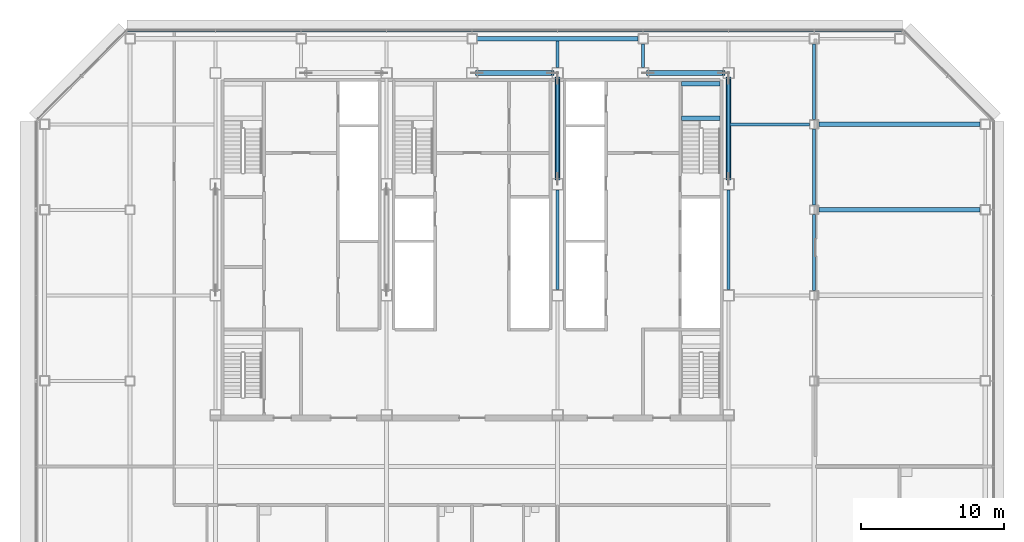
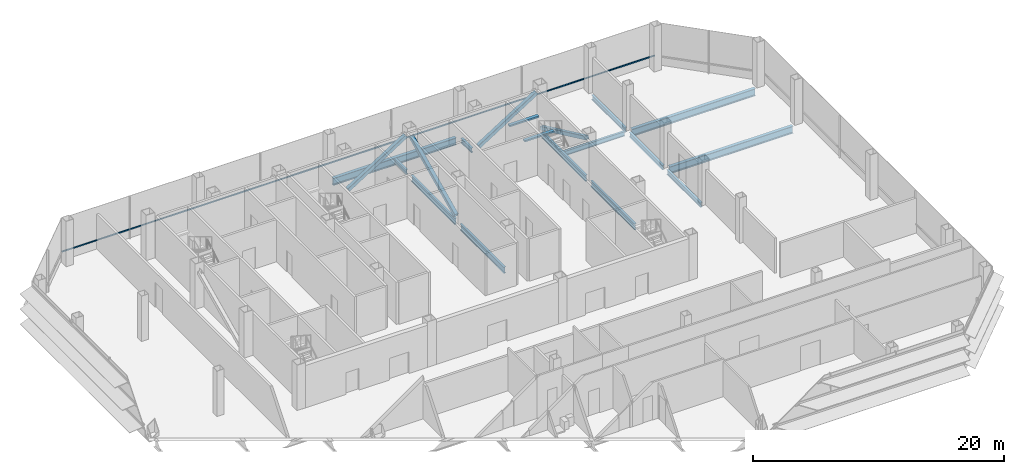
# One storey, part 13 of 26: 15 beams, 5 members, 1 element without a shape of its own.
"""IFC4 building model written with IfcOpenShell, lengths in metres."""

from ifc_helpers import new_model, si_unit, direction, frame, origin, origin_2d, place, context, subcontext, project, spatial, rectangle, hollow_rectangle, i_section, extrude, material, material_profile, profile_set, type_object, element, aggregate, save


model = new_model("IFC4")

# Units and contexts
model_context = context("Model", 3, precision=1e-05, world=origin(), true_north=direction((0.0, 1.0)))
body_context = subcontext(model_context, "Body", "Model", "MODEL_VIEW")
ifc_project = project(units=[si_unit("LENGTHUNIT", "METRE"), si_unit("AREAUNIT", "SQUARE_METRE"), si_unit("VOLUMEUNIT", "CUBIC_METRE"), si_unit("PLANEANGLEUNIT", "RADIAN"), si_unit("MASSUNIT", "GRAM", prefix="KILO")], contexts=[model_context])

# Site, building, storey
site_placement = place(None, origin())
site = spatial("IfcSite", under=ifc_project, at=site_placement, CompositionType="ELEMENT")
building_placement = place(site_placement, origin())
building = spatial("IfcBuilding", under=site, at=building_placement, Name="Sorahane Residences", CompositionType="ELEMENT")
storey_placement = place(building_placement, frame((0.0, 0.0, 181.60009765625)))
storey = spatial("IfcBuildingStorey", under=building, at=storey_placement, Name="L42", CompositionType="ELEMENT", Elevation=181.60009765625)

# Members
ifc_material_1 = material(Name="Steel Q355B", Category="steel")
ifc_material_profile_1 = material_profile(ifc_material_1, hollow_rectangle(XDim=0.35009765625, YDim=0.35009765625, WallThickness=0.01806640625, InnerFilletRadius=0.009033203125, OuterFilletRadius=0.027099609375, at=origin_2d()), Name="RHS 350x350x18")
ifc_profile_set_1 = profile_set([ifc_material_profile_1], Name="Steel Q355B")
member_type_1 = type_object("IfcMemberType", Name="Core brace RHS 350x350x18 Q355B", PredefinedType="BRACE", material=ifc_profile_set_1)
for number, where, z_axis, x_axis, name in (
    (1, (24.34375, 45.60009765625, 0.13916015625), (0.844333471207, 0.0, 0.535818056246), (0.0, 1.0, 0.0), "Core brace L42 y45.6-4"),
    (2, (36.34375, 45.60009765625, 0.13916015625), (0.844333471207, 0.0, 0.535818056246), (0.0, 1.0, 0.0), "Core brace L42 y45.6-6"),
):
    element("IfcMember", number, at=place(storey_placement, frame(where, z_axis=z_axis, x_axis=x_axis)), inside=storey, type_object=member_type_1, Name=name, PredefinedType="BRACE", context=body_context, shape_type="SweptSolid", body=[
        extrude(hollow_rectangle(XDim=0.35009765625, YDim=0.35009765625, WallThickness=0.01806640625, InnerFilletRadius=0.009033203125, OuterFilletRadius=0.027099609375, at=origin_2d()), origin(), (0.0, 0.0, 1.0), 6.2919921875),
    ])
for number, where, z_axis, x_axis, name in (
    (3, (42.0, 45.244873046875, 0.15380859375), (0.0, -0.90452341177, 0.42642396457), (1.0, 0.0, 0.0), "Core brace L42 x42-3"),
    (4, (30.0, 38.1552734375, 0.15380859375), (0.0, 0.90452341177, 0.42642396457), (-1.0, 0.0, 0.0), "Core brace L42 x30-2"),
):
    element("IfcMember", number, at=place(storey_placement, frame(where, z_axis=z_axis, x_axis=x_axis)), inside=storey, type_object=member_type_1, Name=name, PredefinedType="BRACE", context=body_context, shape_type="SweptSolid", body=[
        extrude(hollow_rectangle(XDim=0.35009765625, YDim=0.35009765625, WallThickness=0.01806640625, InnerFilletRadius=0.009033203125, OuterFilletRadius=0.027099609375, at=origin_2d()), origin(), (0.0, 0.0, 1.0), 7.837890625),
    ])

# Curtain wall, member
ifc_material_2 = material(Name="Dark low-e glass and black anodised aluminium", Category="aluminium")
curtain_wall_type = type_object("IfcCurtainWallType", Name="Curtain wall CW-1 Typical unitised wall", PredefinedType="NOTDEFINED", material=ifc_material_2)
curtain_wall_placement = place(storey_placement, origin())
curtain_wall = element("IfcCurtainWall", 5, at=curtain_wall_placement, inside=storey, type_object=curtain_wall_type, Name="CW-1 curtain wall L42 N1", PredefinedType="NOTDEFINED")
ifc_material_3 = material(Name="Black anodised aluminium", Category="aluminium")
ifc_material_profile_2 = material_profile(ifc_material_3, rectangle(XDim=0.10009765625, YDim=0.06005859375, at=origin_2d()), Name="Curtain wall transom CW-1 black anodised aluminium 60x100")
ifc_profile_set_2 = profile_set([ifc_material_profile_2], Name="Black anodised aluminium")
member_type_2 = type_object("IfcMemberType", Name="Curtain wall transom CW-1 black anodised aluminium 60x100", PredefinedType="USERDEFINED", material=ifc_profile_set_2)
member_placement = place(storey_placement, frame((54.198486328125, 48.530029296875, 0.89990234375), z_axis=(-1.0, 0.0, 0.0), x_axis=(0.0, -1.0, 0.0)))
member = element("IfcMember", 6, at=member_placement, type_object=member_type_2, Name="CW-1 transom L42 N1", ObjectType="TRANSOM", PredefinedType="USERDEFINED", context=body_context, shape_type="SweptSolid", body=[
    extrude(rectangle(XDim=0.10009765625, YDim=0.06005859375, at=origin_2d()), origin(), (0.0, 0.0, 1.0), 54.39697265625),
])
aggregate(curtain_wall, [member])

# Beams
ifc_material_4 = material(Name="Concrete C40", Category="concrete")
ifc_material_profile_3 = material_profile(ifc_material_4, rectangle(XDim=0.300048828125, YDim=0.139892578125, at=origin_2d()), Name="300x140")
ifc_profile_set_3 = profile_set([ifc_material_profile_3], Name="Concrete C40")
beam_type_1 = type_object("IfcBeamType", Name="RC landing beam 300 x 140 Concrete C40", PredefinedType="BEAM", material=ifc_profile_set_3)
for number, where, z_axis, x_axis, name in (
    (7, (38.699951171875, 42.429931640625, 1.7607421875), (1.0, 0.0, 0.0), (0.0, 1.0, 0.0), "Landing beam"),
    (8, (38.699951171875, 44.85009765625, 1.7607421875), (1.0, 0.0, 0.0), (0.0, 1.0, 0.0), "Landing beam"),
):
    element("IfcBeam", number, at=place(storey_placement, frame(where, z_axis=z_axis, x_axis=x_axis)), inside=storey, type_object=beam_type_1, Name=name, PredefinedType="BEAM", context=body_context, shape_type="SweptSolid", body=[
        extrude(rectangle(XDim=0.300048828125, YDim=0.139892578125, at=origin_2d()), origin(), (0.0, 0.0, 1.0), 2.699951171875),
    ])
ifc_material_5 = material(Name="Steel Q355B", Category="steel")
ifc_material_profile_4 = material_profile(ifc_material_5, i_section(OverallWidth=0.199951171875, OverallDepth=0.449951171875, WebThickness=0.009033203125, FlangeThickness=0.013916015625, FilletRadius=0.02001953125, at=origin_2d()), Name="HN 450x200x9x14")
ifc_profile_set_4 = profile_set([ifc_material_profile_4], Name="Steel Q355B")
beam_type_2 = type_object("IfcBeamType", Name="Steel floor beam HN 450x200x9x14 Q355B", PredefinedType="BEAM", material=ifc_profile_set_4)
beam_1_placement = place(storey_placement, frame((30.0, 46.0, -0.405029296875), z_axis=(0.0, 1.0, 0.0), x_axis=(-1.0, 0.0, 0.0)))
element("IfcBeam", 9, at=beam_1_placement, inside=storey, type_object=beam_type_2, Name="Beam L42 049", PredefinedType="BEAM", context=body_context, shape_type="SweptSolid", body=[
    extrude(i_section(OverallWidth=0.199951171875, OverallDepth=0.449951171875, WebThickness=0.009033203125, FlangeThickness=0.013916015625, FilletRadius=0.02001953125, at=origin_2d()), origin(), (0.0, 0.0, 1.0), 1.85009765625),
])
beam_2_placement = place(storey_placement, frame((36.0, 46.0, -0.405029296875), z_axis=(0.0, 1.0, 0.0), x_axis=(-1.0, 0.0, 0.0)))
element("IfcBeam", 10, at=beam_2_placement, inside=storey, type_object=beam_type_2, Name="Beam L42 051", PredefinedType="BEAM", context=body_context, shape_type="SweptSolid", body=[
    extrude(i_section(OverallWidth=0.199951171875, OverallDepth=0.449951171875, WebThickness=0.009033203125, FlangeThickness=0.013916015625, FilletRadius=0.02001953125, at=origin_2d()), origin(), (0.0, 0.0, 1.0), 1.64990234375),
])
for number, where, z_axis, x_axis, name in (
    (11, (48.0, 30.324951171875, -0.405029296875), (0.0, 1.0, 0.0), (-1.0, 0.0, 0.0), "Beam L42 061"),
    (12, (48.0, 36.324951171875, -0.405029296875), (0.0, 1.0, 0.0), (-1.0, 0.0, 0.0), "Beam L42 062"),
):
    element("IfcBeam", number, at=place(storey_placement, frame(where, z_axis=z_axis, x_axis=x_axis)), inside=storey, type_object=beam_type_2, Name=name, PredefinedType="BEAM", context=body_context, shape_type="SweptSolid", body=[
        extrude(i_section(OverallWidth=0.199951171875, OverallDepth=0.449951171875, WebThickness=0.009033203125, FlangeThickness=0.013916015625, FilletRadius=0.02001953125, at=origin_2d()), origin(), (0.0, 0.0, 1.0), 5.35009765625),
    ])
beam_3_placement = place(storey_placement, frame((48.0, 42.324951171875, -0.405029296875), z_axis=(0.0, 1.0, 0.0), x_axis=(-1.0, 0.0, 0.0)))
element("IfcBeam", 13, at=beam_3_placement, inside=storey, type_object=beam_type_2, Name="Beam L42 063", PredefinedType="BEAM", context=body_context, shape_type="SweptSolid", body=[
    extrude(i_section(OverallWidth=0.199951171875, OverallDepth=0.449951171875, WebThickness=0.009033203125, FlangeThickness=0.013916015625, FilletRadius=0.02001953125, at=origin_2d()), origin(), (0.0, 0.0, 1.0), 5.324951171875),
])
beam_4_placement = place(storey_placement, frame((42.10009765625, 42.0, -0.405029296875), z_axis=(1.0, 0.0, 0.0), x_axis=(0.0, 1.0, 0.0)))
element("IfcBeam", 14, at=beam_4_placement, inside=storey, type_object=beam_type_2, Name="Beam L42 091", PredefinedType="BEAM", context=body_context, shape_type="SweptSolid", body=[
    extrude(i_section(OverallWidth=0.199951171875, OverallDepth=0.449951171875, WebThickness=0.009033203125, FlangeThickness=0.013916015625, FilletRadius=0.02001953125, at=origin_2d()), origin(), (0.0, 0.0, 1.0), 5.574951171875),
])
ifc_material_6 = material(Name="Steel Q355B", Category="steel")
ifc_material_profile_5 = material_profile(ifc_material_6, i_section(OverallWidth=0.199951171875, OverallDepth=0.60009765625, WebThickness=0.010986328125, FlangeThickness=0.01708984375, FilletRadius=0.02392578125, at=origin_2d()), Name="HN 600x200x11x17")
ifc_profile_set_5 = profile_set([ifc_material_profile_5], Name="Steel Q355B")
beam_type_3 = type_object("IfcBeamType", Name="Steel floor beam HN 600x200x11x17 Q355B", PredefinedType="BEAM", material=ifc_profile_set_5)
for number, where, z_axis, x_axis, name in (
    (15, (30.0, 30.39990234375, -0.47998046875), (0.0, 1.0, 0.0), (-1.0, 0.0, 0.0), "Beam L42 047"),
    (16, (30.0, 38.199951171875, -0.47998046875), (0.0, 1.0, 0.0), (-1.0, 0.0, 0.0), "Beam L42 048"),
    (17, (42.0, 30.39990234375, -0.47998046875), (0.0, 1.0, 0.0), (-1.0, 0.0, 0.0), "Beam L42 055"),
    (18, (42.0, 38.199951171875, -0.47998046875), (0.0, 1.0, 0.0), (-1.0, 0.0, 0.0), "Beam L42 056"),
):
    element("IfcBeam", number, at=place(storey_placement, frame(where, z_axis=z_axis, x_axis=x_axis)), inside=storey, type_object=beam_type_3, Name=name, PredefinedType="BEAM", context=body_context, shape_type="SweptSolid", body=[
        extrude(i_section(OverallWidth=0.199951171875, OverallDepth=0.60009765625, WebThickness=0.010986328125, FlangeThickness=0.01708984375, FilletRadius=0.02392578125, at=origin_2d()), origin(), (0.0, 0.0, 1.0), 7.0),
    ])
ifc_material_7 = material(Name="Steel Q355B", Category="steel")
ifc_material_profile_6 = material_profile(ifc_material_7, i_section(OverallWidth=0.300048828125, OverallDepth=0.699951171875, WebThickness=0.012939453125, FlangeThickness=0.02392578125, FilletRadius=0.028076171875, at=origin_2d()), Name="HN 700x300x13x24")
ifc_profile_set_6 = profile_set([ifc_material_profile_6], Name="Steel Q355B")
beam_type_4 = type_object("IfcBeamType", Name="Steel floor beam HN 700x300x13x24 Q355B", PredefinedType="BEAM", material=ifc_profile_set_6)
beam_5_placement = place(storey_placement, frame((48.324951171875, 36.0, -0.530029296875), z_axis=(1.0, 0.0, 0.0), x_axis=(0.0, 1.0, 0.0)))
element("IfcBeam", 19, at=beam_5_placement, inside=storey, type_object=beam_type_4, Name="Beam L42 014", PredefinedType="BEAM", context=body_context, shape_type="SweptSolid", body=[
    extrude(i_section(OverallWidth=0.300048828125, OverallDepth=0.699951171875, WebThickness=0.012939453125, FlangeThickness=0.02392578125, FilletRadius=0.028076171875, at=origin_2d()), origin(), (0.0, 0.0, 1.0), 11.324951171875),
])
beam_6_placement = place(storey_placement, frame((24.35009765625, 48.0, -0.530029296875), z_axis=(1.0, 0.0, 0.0), x_axis=(0.0, 1.0, 0.0)))
element("IfcBeam", 20, at=beam_6_placement, inside=storey, type_object=beam_type_4, Name="Beam L42 017", PredefinedType="BEAM", context=body_context, shape_type="SweptSolid", body=[
    extrude(i_section(OverallWidth=0.300048828125, OverallDepth=0.699951171875, WebThickness=0.012939453125, FlangeThickness=0.02392578125, FilletRadius=0.028076171875, at=origin_2d()), origin(), (0.0, 0.0, 1.0), 11.2998046875),
])
beam_7_placement = place(storey_placement, frame((48.324951171875, 42.0, -0.530029296875), z_axis=(1.0, 0.0, 0.0), x_axis=(0.0, 1.0, 0.0)))
element("IfcBeam", 21, at=beam_7_placement, inside=storey, type_object=beam_type_4, Name="Beam L42 092", PredefinedType="BEAM", context=body_context, shape_type="SweptSolid", body=[
    extrude(i_section(OverallWidth=0.300048828125, OverallDepth=0.699951171875, WebThickness=0.012939453125, FlangeThickness=0.02392578125, FilletRadius=0.028076171875, at=origin_2d()), origin(), (0.0, 0.0, 1.0), 11.324951171875),
])

save(model, "model.ifc")
